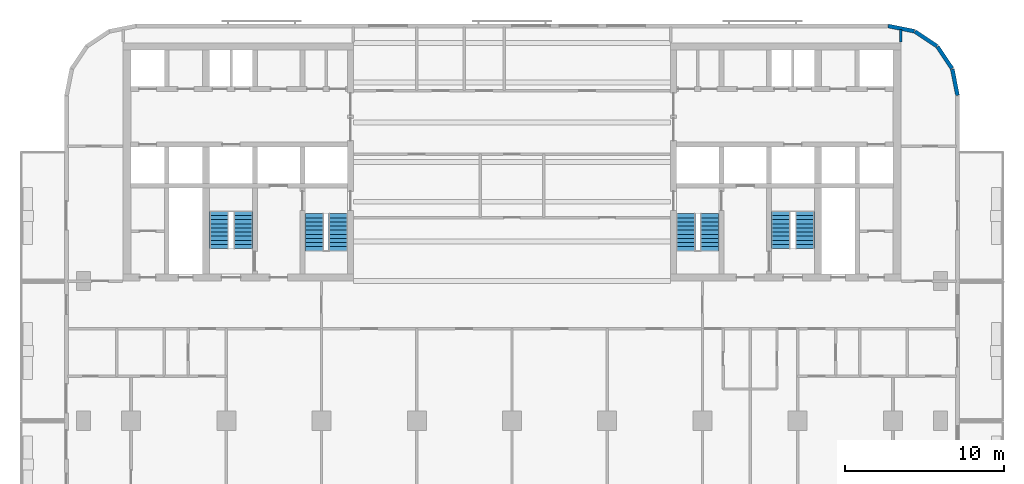
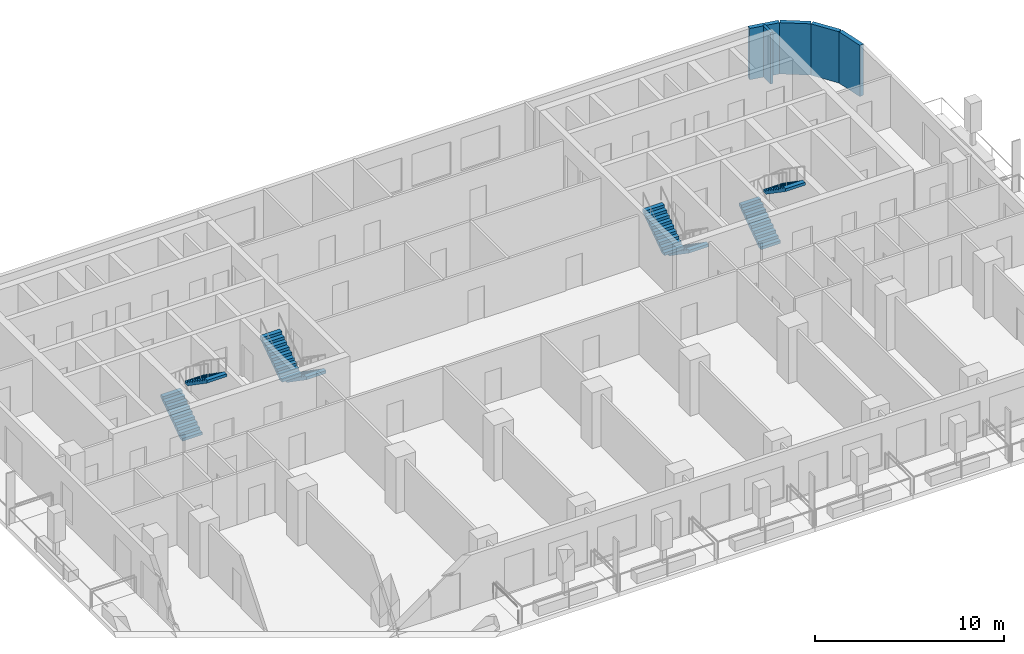
# One storey, part 8 of 12: 8 stair flights, 5 walls, 4 elements without a shape of their own.
"""IFC4 building model written with IfcOpenShell, lengths in metres."""

import ifcopenshell
import ifcopenshell.guid

model = None  # the IFC model being written
_history = None  # IfcOwnerHistory: only IFC2X3 demands one
_inside = {}  # id of a spatial element -> (the spatial element, [elements in it])
_under = {}  # id of a project, library or spatial element -> (it, [spatial elements below it])
_declared = {}  # id of a project -> (the project, [libraries it declares])
_typed = {}  # id of a type object -> (the type object, [elements of that type])
_made_of = {}  # id of a material, layer set ... -> (it, [elements and type objects made of it])


def new_model(schema):
    """Start an empty IFC model of exactly this schema.

    Asked for "IFC4X3", IfcOpenShell would pick the latest addendum, in which some entities
    have other attributes; the version numbers below select the first issue.
    IFC2X3 requires an IfcOwnerHistory on every rooted entity: one is made here for all.
    """
    global model, _history
    if schema == "IFC4X3":
        model = ifcopenshell.file(schema_version=(4, 3, 0, 0))
    else:
        model = ifcopenshell.file(schema=schema)
    _inside.clear()
    _under.clear()
    _declared.clear()
    _typed.clear()
    _made_of.clear()
    _history = None
    if model.schema == "IFC2X3":
        org = make("IfcOrganization", Name="unknown")
        user = make(
            "IfcPersonAndOrganization",
            ThePerson=make("IfcPerson", FamilyName="unknown"),
            TheOrganization=org,
        )
        app = make(
            "IfcApplication",
            ApplicationDeveloper=org,
            Version="unknown",
            ApplicationFullName="unknown",
            ApplicationIdentifier="unknown",
        )
        _history = make(
            "IfcOwnerHistory",
            OwningUser=user,
            OwningApplication=app,
            ChangeAction="ADDED",
            CreationDate=0,
        )
    return model


def make(cls, **values):
    """One entity of the class cls with the attributes given. An attribute that is None is left unset."""
    return model.create_entity(
        cls, **{name: value for name, value in values.items() if value is not None}
    )


def rooted(cls, **values):
    """An entity with a GlobalId (a new one), such as an element, a storey or a relation."""
    return make(cls, GlobalId=ifcopenshell.guid.new(), OwnerHistory=_history, **values)


def si_unit(unit_type, name, prefix=None):
    """IfcSIUnit, for example si_unit("LENGTHUNIT", "METRE", prefix="MILLI")."""
    return make("IfcSIUnit", UnitType=unit_type, Prefix=prefix, Name=name)


def assignment(units):
    """IfcUnitAssignment: the units of a project."""
    return None if units is None else make("IfcUnitAssignment", Units=units)


def point(xyz):
    """IfcCartesianPoint."""
    return None if xyz is None else make("IfcCartesianPoint", Coordinates=xyz)


def direction(xyz):
    """IfcDirection."""
    return None if xyz is None else make("IfcDirection", DirectionRatios=xyz)


def frame(location, z_axis=None, x_axis=None):
    """IfcAxis2Placement3D, a coordinate frame: its origin and axes. An axis left out is left unset."""
    return make(
        "IfcAxis2Placement3D",
        Location=point(location),
        Axis=direction(z_axis),
        RefDirection=direction(x_axis),
    )


def frame_2d(location, x_axis=None):
    """IfcAxis2Placement2D, a coordinate frame in the plane: its origin and x axis."""
    return make(
        "IfcAxis2Placement2D", Location=point(location), RefDirection=direction(x_axis)
    )


def origin():
    """The frame at (0, 0, 0) with its axes left unset."""
    return frame((0.0, 0.0, 0.0))


def place(relative_to, where):
    """IfcLocalPlacement: puts the frame where relative to a parent placement (None: the world)."""
    return make(
        "IfcLocalPlacement", PlacementRelTo=relative_to, RelativePlacement=where
    )


def context(
    kind, dimensions, precision=None, world=None, true_north=None, identifier=None
):
    """IfcGeometricRepresentationContext, for example the 3D "Model" context."""
    return make(
        "IfcGeometricRepresentationContext",
        ContextIdentifier=identifier,
        ContextType=kind,
        CoordinateSpaceDimension=dimensions,
        Precision=precision,
        WorldCoordinateSystem=world,
        TrueNorth=true_north,
    )


def subcontext(parent, identifier, kind, view, scale=None):
    """IfcGeometricRepresentationSubContext, for example "Body" below "Model"."""
    return make(
        "IfcGeometricRepresentationSubContext",
        ContextIdentifier=identifier,
        ContextType=kind,
        ParentContext=parent,
        TargetScale=scale,
        TargetView=view,
    )


def project(units=None, contexts=None):
    """IfcProject with its units and contexts."""
    return rooted(
        "IfcProject",
        Name="project",
        RepresentationContexts=contexts,
        UnitsInContext=assignment(units),
    )


def spatial(cls, under=None, at=None, **own):
    """A site, building, storey or space (cls), placed at a placement, below another one or the project."""
    s = rooted(cls, ObjectPlacement=at, **own)
    if under is not None:
        _under.setdefault(under.id(), (under, []))[1].append(s)
    return s


def polyline(points):
    """IfcPolyline through the points."""
    return make("IfcPolyline", Points=[point(p) for p in points])


def profile(cls, at=None, kind="AREA", **sizes):
    """A parametric profile (cls). Its sizes go by their IFC names, for example OverallWidth=200.0."""
    return make(cls, ProfileType=kind, Position=at, **sizes)


def rectangle(**sizes):
    """IfcRectangleProfileDef."""
    return profile("IfcRectangleProfileDef", **sizes)


def outline(outer, holes=None, kind="AREA"):
    """IfcArbitraryClosedProfileDef: a profile drawn as a closed curve; with holes, ...WithVoids."""
    if holes is None:
        return make("IfcArbitraryClosedProfileDef", ProfileType=kind, OuterCurve=outer)
    return make(
        "IfcArbitraryProfileDefWithVoids",
        ProfileType=kind,
        OuterCurve=outer,
        InnerCurves=holes,
    )


def extrude(swept, where, along, depth):
    """IfcExtrudedAreaSolid: the profile swept, set in the frame where, extruded along a direction by depth."""
    return make(
        "IfcExtrudedAreaSolid",
        SweptArea=swept,
        Position=where,
        ExtrudedDirection=direction(along),
        Depth=depth,
    )


def shape(context_of_items, identifier, shape_type, items):
    """IfcShapeRepresentation: the items that make up one representation, for example the "Body"."""
    return make(
        "IfcShapeRepresentation",
        ContextOfItems=context_of_items,
        RepresentationIdentifier=identifier,
        RepresentationType=shape_type,
        Items=items,
    )


def material(Name=None, Category=None):
    """IfcMaterial."""
    return make("IfcMaterial", Name=Name, Category=Category)


def layer(
    of_material, thickness, ventilated=None, Name=None, Category=None, Priority=None
):
    """IfcMaterialLayer: one layer of a wall or slab, of a material (None: an air gap)."""
    return make(
        "IfcMaterialLayer",
        Material=of_material,
        LayerThickness=thickness,
        IsVentilated=ventilated,
        Name=Name,
        Category=Category,
        Priority=Priority,
    )


def layer_set(layers, Name=None):
    """IfcMaterialLayerSet."""
    return make("IfcMaterialLayerSet", MaterialLayers=layers, LayerSetName=Name)


def made_of(thing, what):
    """Note that an element or type object is made of a material, layer set ...; save() writes the relation."""
    if what is not None:
        _made_of.setdefault(what.id(), (what, []))[1].append(thing)
    return thing


def type_object(cls, material=None, **own):
    """A type object (cls), such as IfcWallType, which elements share."""
    return made_of(rooted(cls, **own), material)


def element(
    cls,
    number,
    at=None,
    inside=None,
    cuts=None,
    type_object=None,
    material=None,
    context=None,
    identifier="Body",
    shape_type=None,
    held_by="IfcProductDefinitionShape",
    body=None,
    shapes=None,
    **own,
):
    """One element of the class cls, such as IfcWall. Its Tag is "e" and its number.

    at: its placement. inside: the storey or other place that contains it. cuts: it is an
    opening in that element (IfcRelVoidsElement). A single representation is given by context,
    identifier, shape_type and body (its items); several are given by shapes. held_by: the class
    of the entity that holds the representations. save() writes the other relations.
    """
    e = rooted(cls, Tag="e%d" % number, ObjectPlacement=at, **own)
    if body is not None:
        shapes = [shape(context, identifier, shape_type, body)]
    if shapes is not None:
        e.Representation = make(held_by, Representations=shapes)
    if inside is not None:
        _inside.setdefault(inside.id(), (inside, []))[1].append(e)
    if cuts is not None:
        rooted(
            "IfcRelVoidsElement", RelatingBuildingElement=cuts, RelatedOpeningElement=e
        )
    if type_object is not None:
        _typed.setdefault(type_object.id(), (type_object, []))[1].append(e)
    return made_of(e, material)


def aggregate(whole, parts):
    """IfcRelAggregates: a whole, such as a stair, and the parts it consists of."""
    return rooted("IfcRelAggregates", RelatingObject=whole, RelatedObjects=parts)


def save(model, path):
    """Write the relations noted so far, then the file.

    IfcRelAggregates (storeys below a building ...), IfcRelContainedInSpatialStructure (elements
    in a storey), IfcRelDefinesByType, IfcRelAssociatesMaterial and IfcRelDeclares: one each for
    every whole, place, type object, material and project.
    """
    for whole, parts in _under.values():
        aggregate(whole, parts)
    for where, things in _inside.values():
        rooted(
            "IfcRelContainedInSpatialStructure",
            RelatedElements=things,
            RelatingStructure=where,
        )
    for kind, things in _typed.values():
        rooted("IfcRelDefinesByType", RelatedObjects=things, RelatingType=kind)
    for what, things in _made_of.values():
        rooted("IfcRelAssociatesMaterial", RelatedObjects=things, RelatingMaterial=what)
    for by, libraries in _declared.values():
        rooted("IfcRelDeclares", RelatingContext=by, RelatedDefinitions=libraries)
    model.write(path)


model = new_model("IFC4")

# Units and contexts
model_context = context("Model", 3, precision=1e-05, world=origin(), true_north=direction((0.0, 1.0)))
body_context = subcontext(model_context, "Body", "Model", "MODEL_VIEW")
ifc_project = project(units=[si_unit("LENGTHUNIT", "METRE"), si_unit("AREAUNIT", "SQUARE_METRE"), si_unit("VOLUMEUNIT", "CUBIC_METRE"), si_unit("PLANEANGLEUNIT", "RADIAN"), si_unit("MASSUNIT", "GRAM", prefix="KILO")], contexts=[model_context])

# Site, building, storey
site_placement = place(None, origin())
site = spatial("IfcSite", under=ifc_project, at=site_placement, CompositionType="ELEMENT")
building_placement = place(site_placement, origin())
building = spatial("IfcBuilding", under=site, at=building_placement, Name="Torana Hotel and Residences", CompositionType="ELEMENT")
storey_placement = place(building_placement, frame((0.0, 0.0, 156.0)))
storey = spatial("IfcBuildingStorey", under=building, at=storey_placement, Name="L40", CompositionType="ELEMENT", Elevation=156.0)

# Walls
ifc_material_1 = material(Name="Black aluminium composite panel", Category="aluminium")
ifc_layer_1 = layer(ifc_material_1, 0.00390625, Name="Cladding", Category="cladding")
ifc_material_2 = material(Name="Ventilated air cavity")
ifc_layer_2 = layer(ifc_material_2, 0.0400390625, Name="Ventilated cavity", Category="cavity")
ifc_material_3 = material(Name="Mineral wool insulation")
ifc_layer_3 = layer(ifc_material_3, 0.090087890625, Name="Insulation", Category="insulation")
ifc_material_4 = material(Name="Steel S280GD", Category="steel")
ifc_layer_4 = layer(ifc_material_4, 0.092041015625, Name="Steel stud frame", Category="structure")
ifc_material_5 = material(Name="Fire rated plasterboard")
ifc_layer_5 = layer(ifc_material_5, 0.011962890625, Name="Inner board", Category="finish")
ifc_layer_6 = layer(ifc_material_5, 0.011962890625, Name="Second board", Category="finish")
ifc_layer_set_1 = layer_set([ifc_layer_1, ifc_layer_2, ifc_layer_3, ifc_layer_4, ifc_layer_5, ifc_layer_6], Name="EW1 EXTERNAL WALL BLACK METAL CLAD 250")
wall_type_1 = type_object("IfcWallType", Name="EW1 EXTERNAL WALL BLACK METAL CLAD 250", PredefinedType="SOLIDWALL", material=ifc_layer_set_1)
wall_1_placement = place(storey_placement, frame((28.072509765625, -3.30029296875, 0.0), z_axis=(0.0, 0.0, 1.0), x_axis=(-0.194999110559, 0.980803419081, 0.0)))
element("IfcWall", 1, at=wall_1_placement, inside=storey, type_object=wall_type_1, Name="External wall L40 e0.0", PredefinedType="SOLIDWALL", context=body_context, shape_type="SweptSolid", body=[
    extrude(rectangle(XDim=1.681396484375, YDim=0.25, at=frame_2d((0.8408203125, 0.0))), origin(), (0.0, 0.0, 1.0), 3.320068359375),
])
for number, where, z_axis, x_axis, name in (
    (2, (27.725830078125, -1.60595703125, 0.0), (0.0, 0.0, 1.0), (-0.55555029066, 0.831482937015, 0.0), "External wall L40 e0.1"),
    (3, (26.771240234375, -0.1943359375, 0.0), (0.0, 0.0, 1.0), (-0.831482937015, 0.55555029066, 0.0), "External wall L40 e0.2"),
):
    element("IfcWall", number, at=place(storey_placement, frame(where, z_axis=z_axis, x_axis=x_axis)), inside=storey, type_object=wall_type_1, Name=name, PredefinedType="SOLIDWALL", context=body_context, shape_type="SweptSolid", body=[
        extrude(rectangle(XDim=1.65625, YDim=0.25, at=frame_2d((0.828125, 0.0))), origin(), (0.0, 0.0, 1.0), 3.320068359375),
    ])
wall_2_placement = place(storey_placement, frame((25.348876953125, 0.74462890625, 0.0), z_axis=(0.0, 0.0, 1.0), x_axis=(-0.980803419081, 0.194999110559, 0.0)))
element("IfcWall", 4, at=wall_2_placement, inside=storey, type_object=wall_type_1, Name="External wall L40 e0.3", PredefinedType="SOLIDWALL", context=body_context, shape_type="SweptSolid", body=[
    extrude(rectangle(XDim=1.681396484375, YDim=0.25, at=frame_2d((0.8408203125, 0.0))), origin(), (0.0, 0.0, 1.0), 3.320068359375),
])
ifc_material_6 = material(Name="Gypsum plasterboard")
ifc_layer_7 = layer(ifc_material_6, 0.012451171875, Name="Plasterboard", Category="finish")
ifc_layer_8 = layer(ifc_material_6, 0.012451171875, Name="Plasterboard", Category="finish")
ifc_layer_9 = layer(ifc_material_4, 0.10009765625, Name="Steel studs with mineral wool", Category="insulation")
ifc_layer_10 = layer(ifc_material_6, 0.012451171875, Name="Plasterboard", Category="finish")
ifc_layer_11 = layer(ifc_material_6, 0.012451171875, Name="Plasterboard", Category="finish")
ifc_layer_set_2 = layer_set([ifc_layer_7, ifc_layer_8, ifc_layer_9, ifc_layer_10, ifc_layer_11], Name="PARTITION 150 PLASTERBOARD")
wall_type_2 = type_object("IfcWallType", Name="PARTITION 150 PLASTERBOARD", PredefinedType="PARTITIONING", material=ifc_layer_set_2)
wall_3_placement = place(storey_placement, frame((24.5, 0.050048828125, 0.0), z_axis=(0.0, 0.0, 1.0), x_axis=(0.0, 1.0, 0.0)))
element("IfcWall", 5, at=wall_3_placement, inside=storey, type_object=wall_type_2, Name="Partition L40", PredefinedType="PARTITIONING", context=body_context, shape_type="SweptSolid", body=[
    extrude(rectangle(XDim=0.807373046875, YDim=0.14990234375, at=frame_2d((0.40380859375, 0.0))), origin(), (0.0, 0.0, 1.0), 3.320068359375),
])

# Stair, stair flights
ifc_material_7 = material(Name="Concrete C40/50 precast", Category="concrete")
stair_type_1 = type_object("IfcStairType", Name="STAIR ST1 HALF TURN 1200", PredefinedType="HALF_TURN_STAIR", material=ifc_material_7)
stair_1_placement = place(storey_placement, origin())
stair_1 = element("IfcStair", 6, at=stair_1_placement, inside=storey, type_object=stair_type_1, Name="Stair ST1 L40", PredefinedType="HALF_TURN_STAIR")
ifc_material_8 = material(Name="Concrete C40/50 precast", Category="concrete")
stair_flight_type = type_object("IfcStairFlightType", Name="STAIR FLIGHT 1200 PRECAST", PredefinedType="STRAIGHT", material=ifc_material_8)
stair_flight_1_placement = place(storey_placement, frame((-10.949951171875, -10.75, 0.0), z_axis=(0.0, 0.0, 1.0), x_axis=(0.0, -1.0, 0.0)))
stair_flight_1 = element("IfcStairFlight", 7, at=stair_flight_1_placement, type_object=stair_flight_type, Name="ST1 flight 1", NumberOfRisers=10, NumberOfTreads=9, PredefinedType="STRAIGHT", RiserHeight=0.18, TreadLength=0.26, context=body_context, shape_type="SweptSolid", body=[
    extrude(outline(polyline([(0.0, 0.0), (0.0, 0.179931640625), (0.260009765625, 0.179931640625), (0.260009765625, 0.360107421875), (0.52001953125, 0.360107421875), (0.52001953125, 0.5400390625), (0.780029296875, 0.5400390625), (0.780029296875, 0.719970703125), (1.0400390625, 0.719970703125), (1.0400390625, 0.89990234375), (1.300048828125, 0.89990234375), (1.300048828125, 1.080078125), (1.56005859375, 1.080078125), (1.56005859375, 1.260009765625), (1.820068359375, 1.260009765625), (1.820068359375, 1.43994140625), (2.080078125, 1.43994140625), (2.080078125, 1.6201171875), (2.340087890625, 1.6201171875), (2.340087890625, 1.800048828125), (2.340087890625, 1.437744140625), (0.263427734375, 0.0), (0.0, 0.0)])), frame((0.0, 0.60009765625, 0.0), z_axis=(0.0, -1.0, 0.0), x_axis=(1.0, 0.0, 0.0)), (0.0, 0.0, 1.0), 1.199951171875),
])
stair_flight_2_placement = place(storey_placement, frame((-12.449951171875, -13.090087890625, 1.800048828125), z_axis=(0.0, 0.0, 1.0), x_axis=(0.0, 1.0, 0.0)))
stair_flight_2 = element("IfcStairFlight", 8, at=stair_flight_2_placement, type_object=stair_flight_type, Name="ST1 flight 2", NumberOfRisers=10, NumberOfTreads=9, PredefinedType="STRAIGHT", RiserHeight=0.18, TreadLength=0.26, context=body_context, shape_type="SweptSolid", body=[
    extrude(outline(polyline([(0.0, 0.0), (0.0, 0.179931640625), (0.260009765625, 0.179931640625), (0.260009765625, 0.360107421875), (0.52001953125, 0.360107421875), (0.52001953125, 0.5400390625), (0.780029296875, 0.5400390625), (0.780029296875, 0.719970703125), (1.0400390625, 0.719970703125), (1.0400390625, 0.89990234375), (1.300048828125, 0.89990234375), (1.300048828125, 1.080078125), (1.56005859375, 1.080078125), (1.56005859375, 1.260009765625), (1.820068359375, 1.260009765625), (1.820068359375, 1.43994140625), (2.080078125, 1.43994140625), (2.080078125, 1.6201171875), (2.340087890625, 1.6201171875), (2.340087890625, 1.800048828125), (2.340087890625, 1.437744140625), (0.263427734375, 0.0), (0.0, 0.0)])), frame((0.0, 0.60009765625, 0.0), z_axis=(0.0, -1.0, 0.0), x_axis=(1.0, 0.0, 0.0)), (0.0, 0.0, 1.0), 1.199951171875),
])
aggregate(stair_1, [stair_flight_1, stair_flight_2])

ifc_material_9 = material(Name="Concrete C40/50 precast", Category="concrete")
stair_type_2 = type_object("IfcStairType", Name="STAIR ST2 HALF TURN 1200", PredefinedType="HALF_TURN_STAIR", material=ifc_material_9)
stair_2_placement = place(storey_placement, origin())
stair_2 = element("IfcStair", 9, at=stair_2_placement, inside=storey, type_object=stair_type_2, Name="Stair ST2 L40", PredefinedType="HALF_TURN_STAIR")
stair_flight_3_placement = place(storey_placement, frame((-18.449951171875, -12.949951171875, 0.0), z_axis=(0.0, 0.0, 1.0), x_axis=(0.0, 1.0, 0.0)))
stair_flight_3 = element("IfcStairFlight", 10, at=stair_flight_3_placement, type_object=stair_flight_type, Name="ST2 flight 1", NumberOfRisers=10, NumberOfTreads=9, PredefinedType="STRAIGHT", RiserHeight=0.18, TreadLength=0.26, context=body_context, shape_type="SweptSolid", body=[
    extrude(outline(polyline([(0.0, 0.0), (0.0, 0.179931640625), (0.260009765625, 0.179931640625), (0.260009765625, 0.360107421875), (0.52001953125, 0.360107421875), (0.52001953125, 0.5400390625), (0.780029296875, 0.5400390625), (0.780029296875, 0.719970703125), (1.0400390625, 0.719970703125), (1.0400390625, 0.89990234375), (1.300048828125, 0.89990234375), (1.300048828125, 1.080078125), (1.56005859375, 1.080078125), (1.56005859375, 1.260009765625), (1.820068359375, 1.260009765625), (1.820068359375, 1.43994140625), (2.080078125, 1.43994140625), (2.080078125, 1.6201171875), (2.340087890625, 1.6201171875), (2.340087890625, 1.800048828125), (2.340087890625, 1.437744140625), (0.263427734375, 0.0), (0.0, 0.0)])), frame((0.0, 0.60009765625, 0.0), z_axis=(0.0, -1.0, 0.0), x_axis=(1.0, 0.0, 0.0)), (0.0, 0.0, 1.0), 1.199951171875),
])
stair_flight_4_placement = place(storey_placement, frame((-16.949951171875, -10.610107421875, 1.800048828125), z_axis=(0.0, 0.0, 1.0), x_axis=(0.0, -1.0, 0.0)))
stair_flight_4 = element("IfcStairFlight", 11, at=stair_flight_4_placement, type_object=stair_flight_type, Name="ST2 flight 2", NumberOfRisers=10, NumberOfTreads=9, PredefinedType="STRAIGHT", RiserHeight=0.18, TreadLength=0.26, context=body_context, shape_type="SweptSolid", body=[
    extrude(outline(polyline([(0.0, 0.0), (0.0, 0.179931640625), (0.260009765625, 0.179931640625), (0.260009765625, 0.360107421875), (0.52001953125, 0.360107421875), (0.52001953125, 0.5400390625), (0.780029296875, 0.5400390625), (0.780029296875, 0.719970703125), (1.0400390625, 0.719970703125), (1.0400390625, 0.89990234375), (1.300048828125, 0.89990234375), (1.300048828125, 1.080078125), (1.56005859375, 1.080078125), (1.56005859375, 1.260009765625), (1.820068359375, 1.260009765625), (1.820068359375, 1.43994140625), (2.080078125, 1.43994140625), (2.080078125, 1.6201171875), (2.340087890625, 1.6201171875), (2.340087890625, 1.800048828125), (2.340087890625, 1.437744140625), (0.263427734375, 0.0), (0.0, 0.0)])), frame((0.0, 0.60009765625, 0.0), z_axis=(0.0, -1.0, 0.0), x_axis=(1.0, 0.0, 0.0)), (0.0, 0.0, 1.0), 1.199951171875),
])
aggregate(stair_2, [stair_flight_3, stair_flight_4])

ifc_material_10 = material(Name="Concrete C40/50 precast", Category="concrete")
stair_type_3 = type_object("IfcStairType", Name="STAIR ST3 HALF TURN 1200", PredefinedType="HALF_TURN_STAIR", material=ifc_material_10)
stair_3_placement = place(storey_placement, origin())
stair_3 = element("IfcStair", 12, at=stair_3_placement, inside=storey, type_object=stair_type_3, Name="Stair ST3 L40", PredefinedType="HALF_TURN_STAIR")
stair_flight_5_placement = place(storey_placement, frame((12.449951171875, -10.75, 0.0), z_axis=(0.0, 0.0, 1.0), x_axis=(0.0, -1.0, 0.0)))
stair_flight_5 = element("IfcStairFlight", 13, at=stair_flight_5_placement, type_object=stair_flight_type, Name="ST3 flight 1", NumberOfRisers=10, NumberOfTreads=9, PredefinedType="STRAIGHT", RiserHeight=0.18, TreadLength=0.26, context=body_context, shape_type="SweptSolid", body=[
    extrude(outline(polyline([(0.0, 0.0), (0.0, 0.179931640625), (0.260009765625, 0.179931640625), (0.260009765625, 0.360107421875), (0.52001953125, 0.360107421875), (0.52001953125, 0.5400390625), (0.780029296875, 0.5400390625), (0.780029296875, 0.719970703125), (1.0400390625, 0.719970703125), (1.0400390625, 0.89990234375), (1.300048828125, 0.89990234375), (1.300048828125, 1.080078125), (1.56005859375, 1.080078125), (1.56005859375, 1.260009765625), (1.820068359375, 1.260009765625), (1.820068359375, 1.43994140625), (2.080078125, 1.43994140625), (2.080078125, 1.6201171875), (2.340087890625, 1.6201171875), (2.340087890625, 1.800048828125), (2.340087890625, 1.437744140625), (0.263427734375, 0.0), (0.0, 0.0)])), frame((0.0, 0.60009765625, 0.0), z_axis=(0.0, -1.0, 0.0), x_axis=(1.0, 0.0, 0.0)), (0.0, 0.0, 1.0), 1.199951171875),
])
stair_flight_6_placement = place(storey_placement, frame((10.949951171875, -13.090087890625, 1.800048828125), z_axis=(0.0, 0.0, 1.0), x_axis=(0.0, 1.0, 0.0)))
stair_flight_6 = element("IfcStairFlight", 14, at=stair_flight_6_placement, type_object=stair_flight_type, Name="ST3 flight 2", NumberOfRisers=10, NumberOfTreads=9, PredefinedType="STRAIGHT", RiserHeight=0.18, TreadLength=0.26, context=body_context, shape_type="SweptSolid", body=[
    extrude(outline(polyline([(0.0, 0.0), (0.0, 0.179931640625), (0.260009765625, 0.179931640625), (0.260009765625, 0.360107421875), (0.52001953125, 0.360107421875), (0.52001953125, 0.5400390625), (0.780029296875, 0.5400390625), (0.780029296875, 0.719970703125), (1.0400390625, 0.719970703125), (1.0400390625, 0.89990234375), (1.300048828125, 0.89990234375), (1.300048828125, 1.080078125), (1.56005859375, 1.080078125), (1.56005859375, 1.260009765625), (1.820068359375, 1.260009765625), (1.820068359375, 1.43994140625), (2.080078125, 1.43994140625), (2.080078125, 1.6201171875), (2.340087890625, 1.6201171875), (2.340087890625, 1.800048828125), (2.340087890625, 1.437744140625), (0.263427734375, 0.0), (0.0, 0.0)])), frame((0.0, 0.60009765625, 0.0), z_axis=(0.0, -1.0, 0.0), x_axis=(1.0, 0.0, 0.0)), (0.0, 0.0, 1.0), 1.199951171875),
])
aggregate(stair_3, [stair_flight_5, stair_flight_6])

ifc_material_11 = material(Name="Concrete C40/50 precast", Category="concrete")
stair_type_4 = type_object("IfcStairType", Name="STAIR ST4 HALF TURN 1200", PredefinedType="HALF_TURN_STAIR", material=ifc_material_11)
stair_4_placement = place(storey_placement, origin())
stair_4 = element("IfcStair", 15, at=stair_4_placement, inside=storey, type_object=stair_type_4, Name="Stair ST4 L40", PredefinedType="HALF_TURN_STAIR")
stair_flight_7_placement = place(storey_placement, frame((16.949951171875, -12.949951171875, 0.0), z_axis=(0.0, 0.0, 1.0), x_axis=(0.0, 1.0, 0.0)))
stair_flight_7 = element("IfcStairFlight", 16, at=stair_flight_7_placement, type_object=stair_flight_type, Name="ST4 flight 1", NumberOfRisers=10, NumberOfTreads=9, PredefinedType="STRAIGHT", RiserHeight=0.18, TreadLength=0.26, context=body_context, shape_type="SweptSolid", body=[
    extrude(outline(polyline([(0.0, 0.0), (0.0, 0.179931640625), (0.260009765625, 0.179931640625), (0.260009765625, 0.360107421875), (0.52001953125, 0.360107421875), (0.52001953125, 0.5400390625), (0.780029296875, 0.5400390625), (0.780029296875, 0.719970703125), (1.0400390625, 0.719970703125), (1.0400390625, 0.89990234375), (1.300048828125, 0.89990234375), (1.300048828125, 1.080078125), (1.56005859375, 1.080078125), (1.56005859375, 1.260009765625), (1.820068359375, 1.260009765625), (1.820068359375, 1.43994140625), (2.080078125, 1.43994140625), (2.080078125, 1.6201171875), (2.340087890625, 1.6201171875), (2.340087890625, 1.800048828125), (2.340087890625, 1.437744140625), (0.263427734375, 0.0), (0.0, 0.0)])), frame((0.0, 0.60009765625, 0.0), z_axis=(0.0, -1.0, 0.0), x_axis=(1.0, 0.0, 0.0)), (0.0, 0.0, 1.0), 1.199951171875),
])
stair_flight_8_placement = place(storey_placement, frame((18.449951171875, -10.610107421875, 1.800048828125), z_axis=(0.0, 0.0, 1.0), x_axis=(0.0, -1.0, 0.0)))
stair_flight_8 = element("IfcStairFlight", 17, at=stair_flight_8_placement, type_object=stair_flight_type, Name="ST4 flight 2", NumberOfRisers=10, NumberOfTreads=9, PredefinedType="STRAIGHT", RiserHeight=0.18, TreadLength=0.26, context=body_context, shape_type="SweptSolid", body=[
    extrude(outline(polyline([(0.0, 0.0), (0.0, 0.179931640625), (0.260009765625, 0.179931640625), (0.260009765625, 0.360107421875), (0.52001953125, 0.360107421875), (0.52001953125, 0.5400390625), (0.780029296875, 0.5400390625), (0.780029296875, 0.719970703125), (1.0400390625, 0.719970703125), (1.0400390625, 0.89990234375), (1.300048828125, 0.89990234375), (1.300048828125, 1.080078125), (1.56005859375, 1.080078125), (1.56005859375, 1.260009765625), (1.820068359375, 1.260009765625), (1.820068359375, 1.43994140625), (2.080078125, 1.43994140625), (2.080078125, 1.6201171875), (2.340087890625, 1.6201171875), (2.340087890625, 1.800048828125), (2.340087890625, 1.437744140625), (0.263427734375, 0.0), (0.0, 0.0)])), frame((0.0, 0.60009765625, 0.0), z_axis=(0.0, -1.0, 0.0), x_axis=(1.0, 0.0, 0.0)), (0.0, 0.0, 1.0), 1.199951171875),
])
aggregate(stair_4, [stair_flight_7, stair_flight_8])

save(model, "model.ifc")
